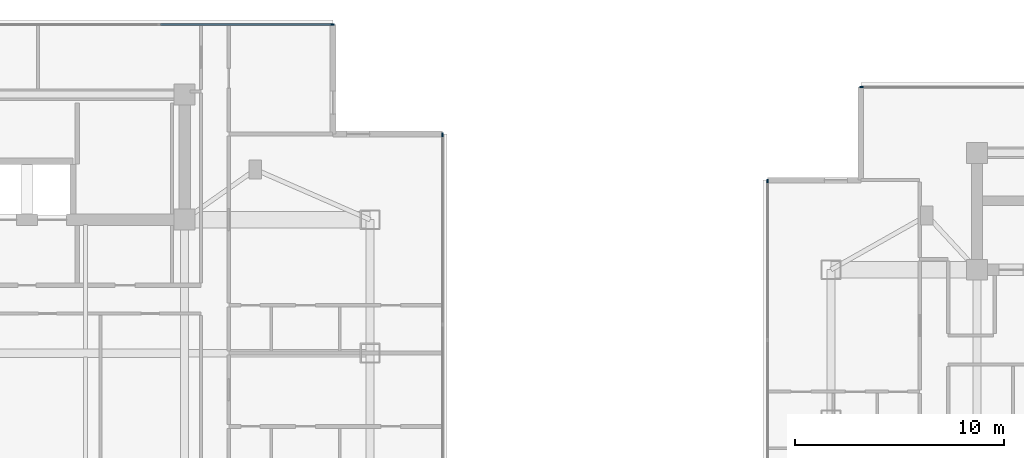
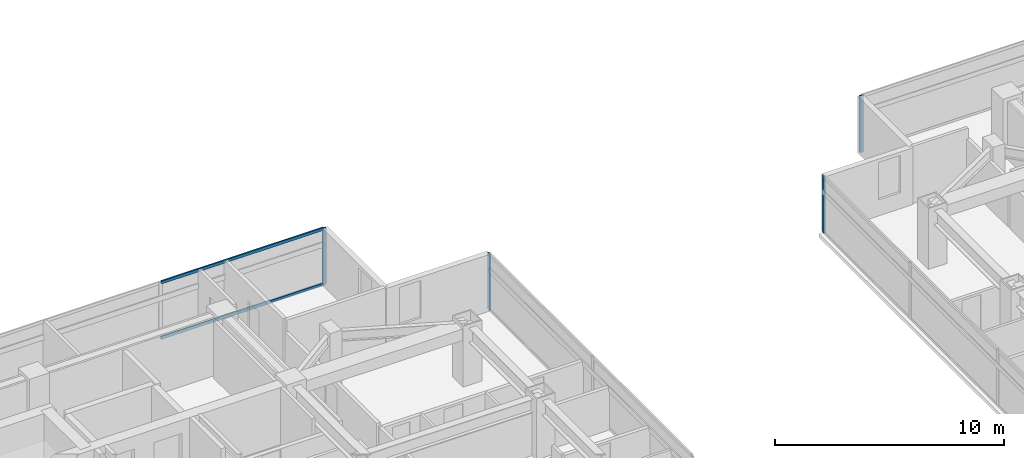
# One storey, part 7 of 25: 6 members, 4 elements without a shape of their own.
"""IFC4 building model written with IfcOpenShell, lengths in metres."""

from ifc_helpers import new_model, si_unit, direction, frame, origin, origin_2d, place, context, subcontext, project, spatial, rectangle, extrude, material, material_profile, profile_set, type_object, element, aggregate, save


model = new_model("IFC4")

# Units and contexts
model_context = context("Model", 3, precision=1e-05, world=origin(), true_north=direction((0.0, 1.0)))
body_context = subcontext(model_context, "Body", "Model", "MODEL_VIEW")
ifc_project = project(units=[si_unit("LENGTHUNIT", "METRE"), si_unit("AREAUNIT", "SQUARE_METRE"), si_unit("VOLUMEUNIT", "CUBIC_METRE"), si_unit("PLANEANGLEUNIT", "RADIAN"), si_unit("MASSUNIT", "GRAM", prefix="KILO")], contexts=[model_context])

# Site, building, storey
site_placement = place(None, origin())
site = spatial("IfcSite", under=ifc_project, at=site_placement, CompositionType="ELEMENT")
building_placement = place(site_placement, origin())
building = spatial("IfcBuilding", under=site, at=building_placement, Name="Mirazonda Arch Towers", CompositionType="ELEMENT")
storey_placement = place(building_placement, frame((0.0, 0.0, 180.39990234375)))
storey = spatial("IfcBuildingStorey", under=building, at=storey_placement, Name="L51", CompositionType="ELEMENT", Elevation=180.39990234375)

# Curtain wall, member
ifc_material_1 = material(Name="Anodised Aluminium and Low-E Glass", Category="aluminium")
curtain_wall_type = type_object("IfcCurtainWallType", Name="CW-RES-UNIT", PredefinedType="NOTDEFINED", material=ifc_material_1)
curtain_wall_1_placement = place(storey_placement, origin())
curtain_wall_1 = element("IfcCurtainWall", 1, at=curtain_wall_1_placement, inside=storey, type_object=curtain_wall_type, Name="L51 T1 E Facade CW-L51-T1-E", PredefinedType="NOTDEFINED")
ifc_material_2 = material(Name="Anodised Aluminium Alloy", Category="aluminium")
ifc_material_profile_1 = material_profile(ifc_material_2, rectangle(XDim=0.074951171875, YDim=0.175048828125, at=origin_2d()), Name="ALU-MULL-75x175")
ifc_profile_set_1 = profile_set([ifc_material_profile_1], Name="Anodised Aluminium Alloy")
member_type_1 = type_object("IfcMemberType", Name="MULL-CW-RES-UNIT", PredefinedType="MULLION", material=ifc_profile_set_1)
member_1_placement = place(storey_placement, frame((42.3701171875, 41.67138671875, 0.0), z_axis=(0.0, 0.0, 1.0), x_axis=(-1.0, 0.0, 0.0)))
member_1 = element("IfcMember", 2, at=member_1_placement, type_object=member_type_1, Name="CW-104 mullion 4", PredefinedType="MULLION", context=body_context, shape_type="SweptSolid", body=[
    extrude(rectangle(XDim=0.074951171875, YDim=0.175048828125, at=origin_2d()), origin(), (0.0, 0.0, 1.0), 3.030029296875),
])
aggregate(curtain_wall_1, [member_1])

curtain_wall_2_placement = place(storey_placement, origin())
curtain_wall_2 = element("IfcCurtainWall", 3, at=curtain_wall_2_placement, inside=storey, type_object=curtain_wall_type, Name="L51 T1 N Facade CW-L51-T1-N", PredefinedType="NOTDEFINED")
member_2_placement = place(storey_placement, frame((37.08740234375, 46.9541015625, 0.0), z_axis=(0.0, 0.0, 1.0), x_axis=(0.0, 1.0, 0.0)))
member_2 = element("IfcMember", 4, at=member_2_placement, type_object=member_type_1, Name="CW-104 mullion 5", PredefinedType="MULLION", context=body_context, shape_type="SweptSolid", body=[
    extrude(rectangle(XDim=0.074951171875, YDim=0.175048828125, at=origin_2d()), origin(), (0.0, 0.0, 1.0), 3.030029296875),
])

curtain_wall_3_placement = place(storey_placement, origin())
curtain_wall_3 = element("IfcCurtainWall", 5, at=curtain_wall_3_placement, inside=storey, type_object=curtain_wall_type, Name="L51 T2 N Facade CW-L51-T2-N", PredefinedType="NOTDEFINED")
member_3_placement = place(storey_placement, frame((62.46630859375, 43.9580078125, 0.0), z_axis=(0.0, 0.0, 1.0), x_axis=(0.0, 1.0, 0.0)))
member_3 = element("IfcMember", 6, at=member_3_placement, type_object=member_type_1, Name="CW-104 mullion 1", PredefinedType="MULLION", context=body_context, shape_type="SweptSolid", body=[
    extrude(rectangle(XDim=0.074951171875, YDim=0.175048828125, at=origin_2d()), origin(), (0.0, 0.0, 1.0), 3.030029296875),
])
aggregate(curtain_wall_3, [member_3])

curtain_wall_4_placement = place(storey_placement, origin())
curtain_wall_4 = element("IfcCurtainWall", 7, at=curtain_wall_4_placement, inside=storey, type_object=curtain_wall_type, Name="L51 T2 W Facade CW-L51-T2-W", PredefinedType="NOTDEFINED")
member_4_placement = place(storey_placement, frame((57.96337890625, 39.455078125, 0.0), z_axis=(0.0, 0.0, 1.0), x_axis=(1.0, 0.0, 0.0)))
member_4 = element("IfcMember", 8, at=member_4_placement, type_object=member_type_1, Name="CW-104 mullion 1", PredefinedType="MULLION", context=body_context, shape_type="SweptSolid", body=[
    extrude(rectangle(XDim=0.074951171875, YDim=0.175048828125, at=origin_2d()), origin(), (0.0, 0.0, 1.0), 3.030029296875),
])
aggregate(curtain_wall_4, [member_4])

# Member
ifc_material_profile_2 = material_profile(ifc_material_2, rectangle(XDim=0.074951171875, YDim=0.155029296875, at=origin_2d()), Name="ALU-TRAN-75x155")
ifc_profile_set_2 = profile_set([ifc_material_profile_2], Name="Anodised Aluminium Alloy")
member_type_2 = type_object("IfcMemberType", Name="TRAN-CW-RES-UNIT", PredefinedType="USERDEFINED", material=ifc_profile_set_2)
member_5_placement = place(storey_placement, frame((28.85009765625, 46.9541015625, 0.03759765625), z_axis=(1.0, 0.0, 0.0), x_axis=(0.0, 1.0, 0.0)))
member_5 = element("IfcMember", 9, at=member_5_placement, type_object=member_type_2, Name="CW-104 transom 4.1", ObjectType="TRANSOM", PredefinedType="USERDEFINED", context=body_context, shape_type="SweptSolid", body=[
    extrude(rectangle(XDim=0.074951171875, YDim=0.155029296875, at=origin_2d()), origin(), (0.0, 0.0, 1.0), 8.199951171875),
])

member_6_placement = place(storey_placement, frame((28.85009765625, 46.9541015625, 2.99267578125), z_axis=(1.0, 0.0, 0.0), x_axis=(0.0, 1.0, 0.0)))
member_6 = element("IfcMember", 10, at=member_6_placement, type_object=member_type_2, Name="CW-104 transom 4.2", ObjectType="TRANSOM", PredefinedType="USERDEFINED", context=body_context, shape_type="SweptSolid", body=[
    extrude(rectangle(XDim=0.074951171875, YDim=0.155029296875, at=origin_2d()), origin(), (0.0, 0.0, 1.0), 8.199951171875),
])

aggregate(curtain_wall_2, [member_2, member_5, member_6])

save(model, "model.ifc")
